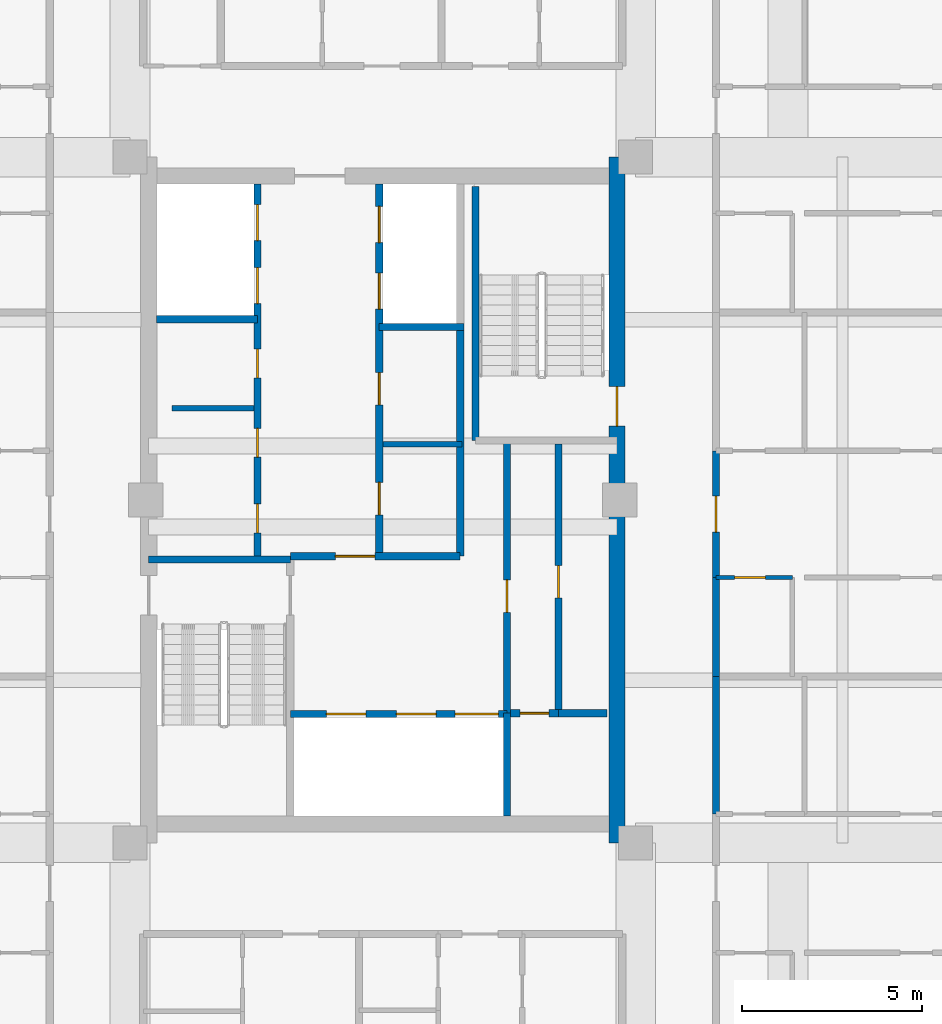
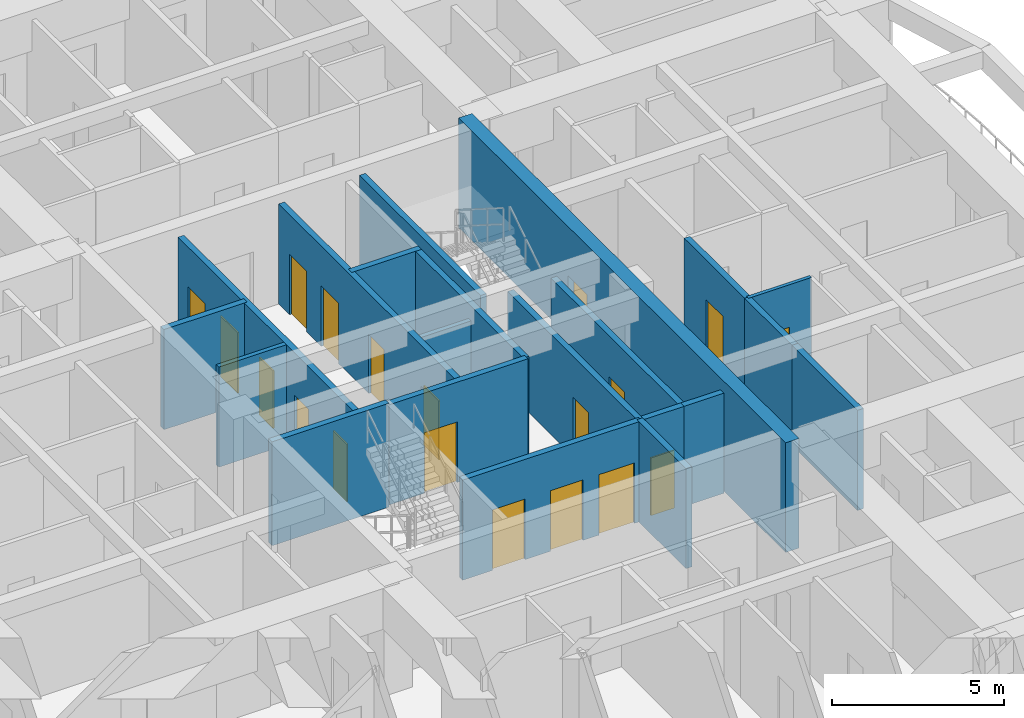
# One storey, part 13 of 22: 21 walls, 19 doors, 19 openings.
"""IFC4 building model written with IfcOpenShell, lengths in metres."""

from ifc_helpers import new_model, si_unit, direction, frame, frame_2d, origin, place, context, subcontext, project, spatial, rectangle, extrude, source, transform, mapped, material, layer, layer_set, type_object, element, fill, save


model = new_model("IFC4")

# Units and contexts
model_context = context("Model", 3, precision=1e-05, world=origin(), true_north=direction((0.0, 1.0)))
body_context = subcontext(model_context, "Body", "Model", "MODEL_VIEW")
ifc_project = project(units=[si_unit("LENGTHUNIT", "METRE"), si_unit("AREAUNIT", "SQUARE_METRE"), si_unit("VOLUMEUNIT", "CUBIC_METRE"), si_unit("PLANEANGLEUNIT", "RADIAN"), si_unit("MASSUNIT", "GRAM", prefix="KILO")], contexts=[model_context])

# Site, building, storey
site_placement = place(None, origin())
site = spatial("IfcSite", under=ifc_project, at=site_placement, CompositionType="ELEMENT")
building_placement = place(site_placement, origin())
building = spatial("IfcBuilding", under=site, at=building_placement, Name="Saelheon Loggia Tower", CompositionType="ELEMENT")
storey_placement = place(building_placement, frame((0.0, 0.0, 216.300048828125)))
storey = spatial("IfcBuildingStorey", under=building, at=storey_placement, Name="L67", CompositionType="ELEMENT", Elevation=216.300048828125)

# Wall, opening, door
ifc_material_1 = material(Name="Concrete C45/55", Category="concrete")
ifc_layer_1 = layer(ifc_material_1, 0.449951171875)
ifc_layer_set_1 = layer_set([ifc_layer_1], Name="Concrete C45/55")
wall_type_1 = type_object("IfcWallType", Name="Wall_CoreShear_450", PredefinedType="SHEAR", material=ifc_layer_set_1)
wall_1_placement = place(storey_placement, frame((44.5, 17.47998046875, 0.0), z_axis=(0.0, 0.0, 1.0), x_axis=(0.0, 1.0, 0.0)))
wall_1 = element("IfcWall", 1, at=wall_1_placement, inside=storey, type_object=wall_type_1, Name="L67 Core Shear Wall East", PredefinedType="SHEAR", context=body_context, shape_type="SweptSolid", body=[
    extrude(rectangle(XDim=19.0400390625, YDim=0.449951171875, at=frame_2d((9.52001953125, 0.0))), origin(), (0.0, 0.0, 1.0), 3.89990234375),
])
opening_1_placement = place(wall_1_placement, frame((12.670166015625, 0.0, 0.0), z_axis=(0.0, 0.0, 1.0), x_axis=(-1.0, 0.0, 0.0)))
opening_1 = element("IfcOpeningElement", 2, at=opening_1_placement, cuts=wall_1, Name="Opening D-FD2", PredefinedType="OPENING", context=body_context, shape_type="SweptSolid", body=[
    extrude(rectangle(XDim=1.10009765625, YDim=2.14990234375, at=frame_2d((0.550048828125, 1.074951171875))), frame((0.0, 0.237060546875, 0.0), z_axis=(0.0, -1.0, 0.0), x_axis=(1.0, 0.0, 0.0)), (0.0, 0.0, 1.0), 0.473876953125),
])
ifc_material_2 = material(Name="Galvanised Steel Fire Door", Category="steel")
door_type_1 = type_object("IfcDoorType", Name="Door_Fire_FD60_1100", OperationType="NOTDEFINED", PredefinedType="DOOR", material=ifc_material_2)
shared_shape_1 = source(origin(), body_context, "Body", "SweptSolid", [
    extrude(rectangle(XDim=1.10009765625, YDim=2.14990234375, at=frame_2d((0.550048828125, 1.074951171875))), frame((0.0, 0.02490234375, 0.0), z_axis=(0.0, -1.0, 0.0), x_axis=(1.0, 0.0, 0.0)), (0.0, 0.0, 1.0), 0.050048828125),
])
door_1_placement = place(opening_1_placement, origin())
door_1 = element("IfcDoor", 3, at=door_1_placement, inside=storey, type_object=door_type_1, Name="L67 Stair ST2 Corridor Door", OperationType="SINGLE_SWING_RIGHT", OverallHeight=2.14990234375, OverallWidth=1.10009765625, PredefinedType="DOOR", context=body_context, shape_type="MappedRepresentation", body=[
    mapped(shared_shape_1, transform((0.0, 0.0, 0.0), scale=1.0)),
])
fill(opening_1, door_1)

# Walls
ifc_material_3 = material(Name="Lightweight Autoclaved Aerated Concrete Block and Acoustic Gypsum", Category="concrete")
ifc_layer_2 = layer(ifc_material_3, 0.14990234375)
ifc_layer_set_2 = layer_set([ifc_layer_2], Name="Lightweight Autoclaved Aerated Concrete Block and Acoustic Gypsum")
wall_type_2 = type_object("IfcWallType", Name="Wall_Part_150", PredefinedType="PARTITIONING", material=ifc_layer_set_2)
wall_2_placement = place(storey_placement, frame((32.14990234375, 29.550048828125, 0.0), z_axis=(0.0, 0.0, 1.0), x_axis=(1.0, 0.0, 0.0)))
element("IfcWall", 4, at=wall_2_placement, inside=storey, type_object=wall_type_2, Name="L67 Freed Core Partition PL1", PredefinedType="PARTITIONING", context=body_context, shape_type="SweptSolid", body=[
    extrude(rectangle(XDim=2.27001953125, YDim=0.14990234375, at=frame_2d((1.135009765625, 0.0))), origin(), (0.0, 0.0, 1.0), 3.56005859375),
])
wall_3_placement = place(storey_placement, frame((38.0, 28.550048828125, 0.0), z_axis=(0.0, 0.0, 1.0), x_axis=(1.0, 0.0, 0.0)))
element("IfcWall", 5, at=wall_3_placement, inside=storey, type_object=wall_type_2, Name="L67 Freed Core Partition PM", PredefinedType="PARTITIONING", context=body_context, shape_type="SweptSolid", body=[
    extrude(rectangle(XDim=2.199951171875, YDim=0.14990234375, at=frame_2d((1.10009765625, 0.0))), origin(), (0.0, 0.0, 1.0), 3.0400390625),
])
ifc_material_4 = material(Name="Double Acoustic Stud and Fireboard Partition", Category="gypsum")
ifc_layer_3 = layer(ifc_material_4, 0.199951171875)
ifc_layer_set_3 = layer_set([ifc_layer_3], Name="Double Acoustic Stud and Fireboard Partition")
wall_type_3 = type_object("IfcWallType", Name="Wall_Party_200", PredefinedType="PARTITIONING", material=ifc_layer_set_3)
wall_4_placement = place(storey_placement, frame((47.25, 18.280029296875, 0.0), z_axis=(0.0, 0.0, 1.0), x_axis=(0.0, 1.0, 0.0)))
element("IfcWall", 6, at=wall_4_placement, inside=storey, type_object=wall_type_3, Name="L67 E Partition V05", PredefinedType="PARTITIONING", context=body_context, shape_type="SweptSolid", body=[
    extrude(rectangle(XDim=3.817626953125, YDim=0.199951171875, at=frame_2d((1.90869140625, 0.0))), origin(), (0.0, 0.0, 1.0), 3.56005859375),
])
wall_5_placement = place(storey_placement, frame((47.25, 22.09765625, 0.0), z_axis=(0.0, 0.0, 1.0), x_axis=(0.0, 1.0, 0.0)))
element("IfcWall", 7, at=wall_5_placement, inside=storey, type_object=wall_type_3, Name="L67 E Partition V13", PredefinedType="PARTITIONING", context=body_context, shape_type="SweptSolid", body=[
    extrude(rectangle(XDim=2.75, YDim=0.199951171875, at=frame_2d((1.375, 0.0))), origin(), (0.0, 0.0, 1.0), 3.56005859375),
])

# Wall, opening, door
wall_6_placement = place(storey_placement, frame((47.25, 24.84765625, 0.0), z_axis=(0.0, 0.0, 1.0), x_axis=(0.0, 1.0, 0.0)))
wall_6 = element("IfcWall", 8, at=wall_6_placement, inside=storey, type_object=wall_type_3, Name="L67 E Partition V14", PredefinedType="PARTITIONING", context=body_context, shape_type="SweptSolid", body=[
    extrude(rectangle(XDim=3.518798828125, YDim=0.199951171875, at=frame_2d((1.75927734375, 0.0))), origin(), (0.0, 0.0, 1.0), 3.56005859375),
])
opening_2_placement = place(wall_6_placement, frame((1.259521484375, 0.0, 0.0)))
opening_2 = element("IfcOpeningElement", 9, at=opening_2_placement, cuts=wall_6, Name="Opening D-FD1", PredefinedType="OPENING", context=body_context, shape_type="SweptSolid", body=[
    extrude(rectangle(XDim=1.0, YDim=2.14990234375, at=frame_2d((0.5, 1.074951171875))), frame((0.0, 0.112060546875, 0.0), z_axis=(0.0, -1.0, 0.0), x_axis=(1.0, 0.0, 0.0)), (0.0, 0.0, 1.0), 0.223876953125),
])
ifc_material_5 = material(Name="Fire-Rated Engineered Timber Entrance Door", Category="wood")
door_type_2 = type_object("IfcDoorType", Name="Door_Flat_FD30S", OperationType="NOTDEFINED", PredefinedType="DOOR", material=ifc_material_5)
shared_shape_2 = source(origin(), body_context, "Body", "SweptSolid", [
    extrude(rectangle(XDim=1.0, YDim=2.14990234375, at=frame_2d((0.5, 1.074951171875))), frame((0.0, 0.02490234375, 0.0), z_axis=(0.0, -1.0, 0.0), x_axis=(1.0, 0.0, 0.0)), (0.0, 0.0, 1.0), 0.050048828125),
])
door_2_placement = place(opening_2_placement, origin())
door_2 = element("IfcDoor", 10, at=door_2_placement, inside=storey, type_object=door_type_2, Name="Unit U09 Entrance Door", OperationType="SINGLE_SWING_LEFT", OverallHeight=2.14990234375, OverallWidth=1.0, PredefinedType="DOOR", context=body_context, shape_type="MappedRepresentation", body=[
    mapped(shared_shape_2, transform((0.0, 0.0, 0.0), scale=1.0)),
])
fill(opening_2, door_2)

ifc_material_6 = material(Name="Concrete C40/50", Category="concrete")
ifc_layer_4 = layer(ifc_material_6, 0.199951171875)
ifc_layer_set_4 = layer_set([ifc_layer_4], Name="Concrete C40/50")
wall_type_4 = type_object("IfcWallType", Name="Wall_Shaft_200", PredefinedType="PARTITIONING", material=ifc_layer_set_4)
wall_7_placement = place(storey_placement, frame((41.550048828125, 21.080078125, 0.0), z_axis=(0.0, 0.0, 1.0), x_axis=(1.0, 0.0, 0.0)))
wall_7 = element("IfcWall", 11, at=wall_7_placement, inside=storey, type_object=wall_type_4, Name="CW-BOH-L67-HS", PredefinedType="PARTITIONING", context=body_context, shape_type="SweptSolid", body=[
    extrude(rectangle(XDim=1.329833984375, YDim=0.199951171875, at=frame_2d((0.6650390625, 0.0))), origin(), (0.0, 0.0, 1.0), 3.56005859375),
])
opening_3_placement = place(wall_7_placement, frame((0.260009765625, 0.0, 0.0)))
opening_3 = element("IfcOpeningElement", 12, at=opening_3_placement, cuts=wall_7, Name="Opening D-ST1", PredefinedType="OPENING", context=body_context, shape_type="SweptSolid", body=[
    extrude(rectangle(XDim=0.800048828125, YDim=2.050048828125, at=frame_2d((0.39990234375, 1.02490234375))), frame((0.0, 0.112060546875, 0.0), z_axis=(0.0, -1.0, 0.0), x_axis=(1.0, 0.0, 0.0)), (0.0, 0.0, 1.0), 0.223876953125),
])
ifc_material_7 = material(Name="Powder-Coated Steel Store Door", Category="steel")
door_type_3 = type_object("IfcDoorType", Name="Door_Store_800", OperationType="NOTDEFINED", PredefinedType="DOOR", material=ifc_material_7)
shared_shape_3 = source(origin(), body_context, "Body", "SweptSolid", [
    extrude(rectangle(XDim=0.800048828125, YDim=2.050048828125, at=frame_2d((0.39990234375, 1.02490234375))), frame((0.0, 0.02490234375, 0.0), z_axis=(0.0, -1.0, 0.0), x_axis=(1.0, 0.0, 0.0)), (0.0, 0.0, 1.0), 0.050048828125),
])
door_3_placement = place(opening_3_placement, origin())
door_3 = element("IfcDoor", 13, at=door_3_placement, inside=storey, type_object=door_type_3, Name="L67 Electrical Riser Door", OperationType="SINGLE_SWING_RIGHT", OverallHeight=2.050048828125, OverallWidth=0.800048828125, PredefinedType="DOOR", context=body_context, shape_type="MappedRepresentation", body=[
    mapped(shared_shape_3, transform((0.0, 0.0, 0.0), scale=1.0)),
])
fill(opening_3, door_3)

# Wall
wall_8_placement = place(storey_placement, frame((42.8798828125, 21.080078125, 0.0), z_axis=(0.0, 0.0, 1.0), x_axis=(1.0, 0.0, 0.0)))
element("IfcWall", 14, at=wall_8_placement, inside=storey, type_object=wall_type_4, Name="CW-BOH-L67-HS2", PredefinedType="PARTITIONING", context=body_context, shape_type="SweptSolid", body=[
    extrude(rectangle(XDim=1.340087890625, YDim=0.199951171875, at=frame_2d((0.669921875, 0.0))), origin(), (0.0, 0.0, 1.0), 3.56005859375),
])

# Wall, opening, door
wall_9_placement = place(storey_placement, frame((42.8798828125, 21.080078125, 0.0), z_axis=(0.0, 0.0, 1.0), x_axis=(0.0, 1.0, 0.0)))
wall_9 = element("IfcWall", 15, at=wall_9_placement, inside=storey, type_object=wall_type_4, Name="CW-BOH-L67-VS", PredefinedType="PARTITIONING", context=body_context, shape_type="SweptSolid", body=[
    extrude(rectangle(XDim=7.469970703125, YDim=0.199951171875, at=frame_2d((3.73486328125, 0.0))), origin(), (0.0, 0.0, 1.0), 3.56005859375),
])
opening_4_placement = place(wall_9_placement, frame((3.199951171875, 0.0, 0.0)))
opening_4 = element("IfcOpeningElement", 16, at=opening_4_placement, cuts=wall_9, Name="Opening D-RS1", PredefinedType="OPENING", context=body_context, shape_type="SweptSolid", body=[
    extrude(rectangle(XDim=0.89990234375, YDim=2.10009765625, at=frame_2d((0.449951171875, 1.050048828125))), frame((0.0, 0.112060546875, 0.0), z_axis=(0.0, -1.0, 0.0), x_axis=(1.0, 0.0, 0.0)), (0.0, 0.0, 1.0), 0.223876953125),
])
ifc_material_8 = material(Name="Galvanised Steel Riser Access Door", Category="steel")
door_type_4 = type_object("IfcDoorType", Name="Door_Riser_FD60", OperationType="NOTDEFINED", PredefinedType="DOOR", material=ifc_material_8)
shared_shape_4 = source(origin(), body_context, "Body", "SweptSolid", [
    extrude(rectangle(XDim=0.89990234375, YDim=2.10009765625, at=frame_2d((0.449951171875, 1.050048828125))), frame((0.0, 0.02490234375, 0.0), z_axis=(0.0, -1.0, 0.0), x_axis=(1.0, 0.0, 0.0)), (0.0, 0.0, 1.0), 0.050048828125),
])
door_4_placement = place(opening_4_placement, origin())
door_4 = element("IfcDoor", 17, at=door_4_placement, inside=storey, type_object=door_type_4, Name="L67 Linen Store Door", OperationType="SINGLE_SWING_LEFT", OverallHeight=2.10009765625, OverallWidth=0.89990234375, PredefinedType="DOOR", context=body_context, shape_type="MappedRepresentation", body=[
    mapped(shared_shape_4, transform((0.0, 0.0, 0.0), scale=1.0)),
])
fill(opening_4, door_4)

# Wall
wall_10_placement = place(storey_placement, frame((41.449951171875, 18.219970703125, 0.0), z_axis=(0.0, 0.0, 1.0), x_axis=(0.0, 1.0, 0.0)))
element("IfcWall", 18, at=wall_10_placement, inside=storey, type_object=wall_type_4, Name="CW-INT-L67-BOH-W0", PredefinedType="PARTITIONING", context=body_context, shape_type="SweptSolid", body=[
    extrude(rectangle(XDim=2.860107421875, YDim=0.199951171875, at=frame_2d((1.43017578125, 0.0))), origin(), (0.0, 0.0, 1.0), 3.56005859375),
])

# Wall, opening, door
wall_11_placement = place(storey_placement, frame((41.449951171875, 21.080078125, 0.0), z_axis=(0.0, 0.0, 1.0), x_axis=(0.0, 1.0, 0.0)))
wall_11 = element("IfcWall", 19, at=wall_11_placement, inside=storey, type_object=wall_type_4, Name="CW-INT-L67-BOH-W1", PredefinedType="PARTITIONING", context=body_context, shape_type="SweptSolid", body=[
    extrude(rectangle(XDim=7.52001953125, YDim=0.199951171875, at=frame_2d((3.760009765625, 0.0))), origin(), (0.0, 0.0, 1.0), 3.56005859375),
])
opening_5_placement = place(wall_11_placement, frame((2.800048828125, 0.0, 0.0)))
opening_5 = element("IfcOpeningElement", 20, at=opening_5_placement, cuts=wall_11, Name="Opening D-RS1", PredefinedType="OPENING", context=body_context, shape_type="SweptSolid", body=[
    extrude(rectangle(XDim=0.89990234375, YDim=2.10009765625, at=frame_2d((0.449951171875, 1.050048828125))), frame((0.0, 0.112060546875, 0.0), z_axis=(0.0, -1.0, 0.0), x_axis=(1.0, 0.0, 0.0)), (0.0, 0.0, 1.0), 0.223876953125),
])
door_5_placement = place(opening_5_placement, origin())
door_5 = element("IfcDoor", 21, at=door_5_placement, inside=storey, type_object=door_type_4, Name="L67 Service Store Door", OperationType="SINGLE_SWING_RIGHT", OverallHeight=2.10009765625, OverallWidth=0.89990234375, PredefinedType="DOOR", context=body_context, shape_type="MappedRepresentation", body=[
    mapped(shared_shape_4, transform((0.0, 0.0, 0.0), scale=1.0)),
])
fill(opening_5, door_5)

# Wall
wall_12_placement = place(storey_placement, frame((40.14990234375, 25.43994140625, 0.0), z_axis=(0.0, 0.0, 1.0), x_axis=(0.0, 1.0, 0.0)))
element("IfcWall", 22, at=wall_12_placement, inside=storey, type_object=wall_type_4, Name="L67 Core Service Passage West Wall", PredefinedType="PARTITIONING", context=body_context, shape_type="SweptSolid", body=[
    extrude(rectangle(XDim=6.360107421875, YDim=0.199951171875, at=frame_2d((3.18017578125, 0.0))), origin(), (0.0, 0.0, 1.0), 3.56005859375),
])

# Wall, openings, doors
wall_13_placement = place(storey_placement, frame((35.429931640625, 21.06005859375, 0.0), z_axis=(0.0, 0.0, 1.0), x_axis=(1.0, 0.0, 0.0)))
wall_13 = element("IfcWall", 23, at=wall_13_placement, inside=storey, type_object=wall_type_4, Name="L67 Firefighting Lift Shaft Front Wall", PredefinedType="PARTITIONING", context=body_context, shape_type="SweptSolid", body=[
    extrude(rectangle(XDim=6.02001953125, YDim=0.199951171875, at=frame_2d((3.010009765625, 0.0))), origin(), (0.0, 0.0, 1.0), 3.56005859375),
])
opening_6_placement = place(wall_13_placement, frame((1.0, 0.0, 0.0)))
opening_6 = element("IfcOpeningElement", 24, at=opening_6_placement, cuts=wall_13, Name="Opening LD2", PredefinedType="OPENING", context=body_context, shape_type="SweptSolid", body=[
    extrude(rectangle(XDim=1.10009765625, YDim=2.14990234375, at=frame_2d((0.550048828125, 1.074951171875))), frame((0.0, 0.112060546875, 0.0), z_axis=(0.0, -1.0, 0.0), x_axis=(1.0, 0.0, 0.0)), (0.0, 0.0, 1.0), 0.223876953125),
])
opening_7_placement = place(wall_13_placement, frame((2.949951171875, 0.0, 0.0)))
opening_7 = element("IfcOpeningElement", 25, at=opening_7_placement, cuts=wall_13, Name="Opening LD2", PredefinedType="OPENING", context=body_context, shape_type="SweptSolid", body=[
    extrude(rectangle(XDim=1.10009765625, YDim=2.14990234375, at=frame_2d((0.550048828125, 1.074951171875))), frame((0.0, 0.112060546875, 0.0), z_axis=(0.0, -1.0, 0.0), x_axis=(1.0, 0.0, 0.0)), (0.0, 0.0, 1.0), 0.223876953125),
])
opening_8_placement = place(wall_13_placement, frame((4.580078125, 0.0, 0.0)))
opening_8 = element("IfcOpeningElement", 26, at=opening_8_placement, cuts=wall_13, Name="Opening LD3", PredefinedType="OPENING", context=body_context, shape_type="SweptSolid", body=[
    extrude(rectangle(XDim=1.199951171875, YDim=2.14990234375, at=frame_2d((0.60009765625, 1.074951171875))), frame((0.0, 0.112060546875, 0.0), z_axis=(0.0, -1.0, 0.0), x_axis=(1.0, 0.0, 0.0)), (0.0, 0.0, 1.0), 0.223876953125),
])
ifc_material_9 = material(Name="Firefighting Stainless Steel 316 Landing Door", Category="steel")
door_type_5 = type_object("IfcDoorType", Name="Door_Lift_LD2", OperationType="DOUBLE_DOOR_SLIDING", PredefinedType="DOOR", material=ifc_material_9)
door_6_placement = place(opening_6_placement, origin())
door_6 = element("IfcDoor", 27, at=door_6_placement, inside=storey, type_object=door_type_5, Name="L67 FF1 Landing Door", OperationType="DOUBLE_DOOR_SLIDING", OverallHeight=2.14990234375, OverallWidth=1.10009765625, PredefinedType="DOOR", context=body_context, shape_type="MappedRepresentation", body=[
    mapped(shared_shape_1, transform((0.0, 0.0, 0.0), scale=1.0)),
])
fill(opening_6, door_6)
door_7_placement = place(opening_7_placement, origin())
door_7 = element("IfcDoor", 28, at=door_7_placement, inside=storey, type_object=door_type_5, Name="L67 FF2 Landing Door", OperationType="DOUBLE_DOOR_SLIDING", OverallHeight=2.14990234375, OverallWidth=1.10009765625, PredefinedType="DOOR", context=body_context, shape_type="MappedRepresentation", body=[
    mapped(shared_shape_1, transform((0.0, 0.0, 0.0), scale=1.0)),
])
fill(opening_7, door_7)
ifc_material_10 = material(Name="Stretcher Lift Stainless Steel 304 Landing Door", Category="steel")
door_type_6 = type_object("IfcDoorType", Name="Door_Lift_LD3", OperationType="DOUBLE_DOOR_SLIDING", PredefinedType="DOOR", material=ifc_material_10)
shared_shape_5 = source(origin(), body_context, "Body", "SweptSolid", [
    extrude(rectangle(XDim=1.199951171875, YDim=2.14990234375, at=frame_2d((0.60009765625, 1.074951171875))), frame((0.0, 0.02490234375, 0.0), z_axis=(0.0, -1.0, 0.0), x_axis=(1.0, 0.0, 0.0)), (0.0, 0.0, 1.0), 0.050048828125),
])
door_8_placement = place(opening_8_placement, origin())
door_8 = element("IfcDoor", 29, at=door_8_placement, inside=storey, type_object=door_type_6, Name="L67 SV1 Landing Door", OperationType="DOUBLE_DOOR_SLIDING", OverallHeight=2.14990234375, OverallWidth=1.199951171875, PredefinedType="DOOR", context=body_context, shape_type="MappedRepresentation", body=[
    mapped(shared_shape_5, transform((0.0, 0.0, 0.0), scale=1.0)),
])
fill(opening_8, door_8)

# Wall, opening, door
wall_14_placement = place(storey_placement, frame((35.429931640625, 25.43994140625, 0.0), z_axis=(0.0, 0.0, 1.0), x_axis=(1.0, 0.0, 0.0)))
wall_14 = element("IfcWall", 30, at=wall_14_placement, inside=storey, type_object=wall_type_4, Name="L67 Firefighting Lobby Compartment Wall", PredefinedType="PARTITIONING", context=body_context, shape_type="SweptSolid", body=[
    extrude(rectangle(XDim=4.719970703125, YDim=0.199951171875, at=frame_2d((2.35986328125, 0.0))), origin(), (0.0, 0.0, 1.0), 3.56005859375),
])
opening_9_placement = place(wall_14_placement, frame((1.25, 0.0, 0.0)))
opening_9 = element("IfcOpeningElement", 31, at=opening_9_placement, cuts=wall_14, Name="Opening D-FD2", PredefinedType="OPENING", context=body_context, shape_type="SweptSolid", body=[
    extrude(rectangle(XDim=1.10009765625, YDim=2.14990234375, at=frame_2d((0.550048828125, 1.074951171875))), frame((0.0, 0.112060546875, 0.0), z_axis=(0.0, -1.0, 0.0), x_axis=(1.0, 0.0, 0.0)), (0.0, 0.0, 1.0), 0.223876953125),
])
door_9_placement = place(opening_9_placement, origin())
door_9 = element("IfcDoor", 32, at=door_9_placement, inside=storey, type_object=door_type_1, Name="L67 Firefighting Lobby Door", OperationType="SINGLE_SWING_LEFT", OverallHeight=2.14990234375, OverallWidth=1.10009765625, PredefinedType="DOOR", context=body_context, shape_type="MappedRepresentation", body=[
    mapped(shared_shape_1, transform((0.0, 0.0, 0.0), scale=1.0)),
])
fill(opening_9, door_9)

# Wall, openings, doors
wall_15_placement = place(storey_placement, frame((34.52001953125, 25.43994140625, 0.0), z_axis=(0.0, 0.0, 1.0), x_axis=(0.0, 1.0, 0.0)))
wall_15 = element("IfcWall", 33, at=wall_15_placement, inside=storey, type_object=wall_type_4, Name="L67 West Passenger Lift Bank Wall", PredefinedType="PARTITIONING", context=body_context, shape_type="SweptSolid", body=[
    extrude(rectangle(XDim=10.340087890625, YDim=0.199951171875, at=frame_2d((5.169921875, 0.0))), origin(), (0.0, 0.0, 1.0), 3.56005859375),
])
opening_10_placement = place(wall_15_placement, frame((0.64990234375, 0.0, 0.0)))
opening_10 = element("IfcOpeningElement", 34, at=opening_10_placement, cuts=wall_15, Name="Opening D-ST1", PredefinedType="OPENING", context=body_context, shape_type="SweptSolid", body=[
    extrude(rectangle(XDim=0.800048828125, YDim=2.050048828125, at=frame_2d((0.39990234375, 1.02490234375))), frame((0.0, 0.112060546875, 0.0), z_axis=(0.0, -1.0, 0.0), x_axis=(1.0, 0.0, 0.0)), (0.0, 0.0, 1.0), 0.223876953125),
])
opening_11_placement = place(wall_15_placement, frame((2.75, 0.0, 0.0)))
opening_11 = element("IfcOpeningElement", 35, at=opening_11_placement, cuts=wall_15, Name="Opening D-ST1", PredefinedType="OPENING", context=body_context, shape_type="SweptSolid", body=[
    extrude(rectangle(XDim=0.800048828125, YDim=2.050048828125, at=frame_2d((0.39990234375, 1.02490234375))), frame((0.0, 0.112060546875, 0.0), z_axis=(0.0, -1.0, 0.0), x_axis=(1.0, 0.0, 0.0)), (0.0, 0.0, 1.0), 0.223876953125),
])
opening_12_placement = place(wall_15_placement, frame((4.949951171875, 0.0, 0.0)))
opening_12 = element("IfcOpeningElement", 36, at=opening_12_placement, cuts=wall_15, Name="Opening D-ST1", PredefinedType="OPENING", context=body_context, shape_type="SweptSolid", body=[
    extrude(rectangle(XDim=0.800048828125, YDim=2.050048828125, at=frame_2d((0.39990234375, 1.02490234375))), frame((0.0, 0.112060546875, 0.0), z_axis=(0.0, -1.0, 0.0), x_axis=(1.0, 0.0, 0.0)), (0.0, 0.0, 1.0), 0.223876953125),
])
opening_13_placement = place(wall_15_placement, frame((7.010009765625, 0.0, 0.0)))
opening_13 = element("IfcOpeningElement", 37, at=opening_13_placement, cuts=wall_15, Name="Opening LD1", PredefinedType="OPENING", context=body_context, shape_type="SweptSolid", body=[
    extrude(rectangle(XDim=1.0, YDim=2.14990234375, at=frame_2d((0.5, 1.074951171875))), frame((0.0, 0.112060546875, 0.0), z_axis=(0.0, -1.0, 0.0), x_axis=(1.0, 0.0, 0.0)), (0.0, 0.0, 1.0), 0.223876953125),
])
opening_14_placement = place(wall_15_placement, frame((8.760009765625, 0.0, 0.0)))
opening_14 = element("IfcOpeningElement", 38, at=opening_14_placement, cuts=wall_15, Name="Opening LD1", PredefinedType="OPENING", context=body_context, shape_type="SweptSolid", body=[
    extrude(rectangle(XDim=1.0, YDim=2.14990234375, at=frame_2d((0.5, 1.074951171875))), frame((0.0, 0.112060546875, 0.0), z_axis=(0.0, -1.0, 0.0), x_axis=(1.0, 0.0, 0.0)), (0.0, 0.0, 1.0), 0.223876953125),
])
ifc_material_11 = material(Name="Brushed Stainless Steel 304 Landing Door", Category="steel")
door_type_7 = type_object("IfcDoorType", Name="Door_Lift_LD1", OperationType="DOUBLE_DOOR_SLIDING", PredefinedType="DOOR", material=ifc_material_11)
door_10_placement = place(opening_13_placement, origin())
door_10 = element("IfcDoor", 39, at=door_10_placement, inside=storey, type_object=door_type_7, Name="L67 PH1 Landing Door", OperationType="DOUBLE_DOOR_SLIDING", OverallHeight=2.14990234375, OverallWidth=1.0, PredefinedType="DOOR", context=body_context, shape_type="MappedRepresentation", body=[
    mapped(shared_shape_2, transform((0.0, 0.0, 0.0), scale=1.0)),
])
fill(opening_13, door_10)
door_11_placement = place(opening_14_placement, origin())
door_11 = element("IfcDoor", 40, at=door_11_placement, inside=storey, type_object=door_type_7, Name="L67 PH2 Landing Door", OperationType="DOUBLE_DOOR_SLIDING", OverallHeight=2.14990234375, OverallWidth=1.0, PredefinedType="DOOR", context=body_context, shape_type="MappedRepresentation", body=[
    mapped(shared_shape_2, transform((0.0, 0.0, 0.0), scale=1.0)),
])
fill(opening_14, door_11)
door_12_placement = place(opening_10_placement, origin())
door_12 = element("IfcDoor", 41, at=door_12_placement, inside=storey, type_object=door_type_3, Name="L67 Telecom Store Door", OperationType="SINGLE_SWING_LEFT", OverallHeight=2.050048828125, OverallWidth=0.800048828125, PredefinedType="DOOR", context=body_context, shape_type="MappedRepresentation", body=[
    mapped(shared_shape_3, transform((0.0, 0.0, 0.0), scale=1.0)),
])
fill(opening_10, door_12)
door_13_placement = place(opening_11_placement, origin())
door_13 = element("IfcDoor", 42, at=door_13_placement, inside=storey, type_object=door_type_3, Name="L67 Linen Closet Door", OperationType="SINGLE_SWING_RIGHT", OverallHeight=2.050048828125, OverallWidth=0.800048828125, PredefinedType="DOOR", context=body_context, shape_type="MappedRepresentation", body=[
    mapped(shared_shape_3, transform((0.0, 0.0, 0.0), scale=1.0)),
])
fill(opening_11, door_13)
door_14_placement = place(opening_12_placement, origin())
door_14 = element("IfcDoor", 43, at=door_14_placement, inside=storey, type_object=door_type_3, Name="L67 Metering Store Door", OperationType="SINGLE_SWING_LEFT", OverallHeight=2.050048828125, OverallWidth=0.800048828125, PredefinedType="DOOR", context=body_context, shape_type="MappedRepresentation", body=[
    mapped(shared_shape_3, transform((0.0, 0.0, 0.0), scale=1.0)),
])
fill(opening_12, door_14)

# Wall
wall_16_placement = place(storey_placement, frame((31.719970703125, 32.02001953125, 0.0), z_axis=(0.0, 0.0, 1.0), x_axis=(1.0, 0.0, 0.0)))
element("IfcWall", 44, at=wall_16_placement, inside=storey, type_object=wall_type_4, Name="L67 West High-Rise Shaft Divider", PredefinedType="PARTITIONING", context=body_context, shape_type="SweptSolid", body=[
    extrude(rectangle(XDim=2.800048828125, YDim=0.199951171875, at=frame_2d((1.39990234375, 0.0))), origin(), (0.0, 0.0, 1.0), 3.56005859375),
])

# Wall, openings, doors
wall_17_placement = place(storey_placement, frame((37.89990234375, 25.43994140625, 0.0), z_axis=(0.0, 0.0, 1.0), x_axis=(0.0, 1.0, 0.0)))
wall_17 = element("IfcWall", 45, at=wall_17_placement, inside=storey, type_object=wall_type_4, Name="L67 East Passenger Lift Bank Wall", PredefinedType="PARTITIONING", context=body_context, shape_type="SweptSolid", body=[
    extrude(rectangle(XDim=10.340087890625, YDim=0.199951171875, at=frame_2d((5.169921875, 0.0))), origin(), (0.0, 0.0, 1.0), 3.56005859375),
])
opening_15_placement = place(wall_17_placement, frame((1.14990234375, 0.0, 0.0)))
opening_15 = element("IfcOpeningElement", 46, at=opening_15_placement, cuts=wall_17, Name="Opening D-RS1", PredefinedType="OPENING", context=body_context, shape_type="SweptSolid", body=[
    extrude(rectangle(XDim=0.89990234375, YDim=2.10009765625, at=frame_2d((0.449951171875, 1.050048828125))), frame((0.0, 0.112060546875, 0.0), z_axis=(0.0, -1.0, 0.0), x_axis=(1.0, 0.0, 0.0)), (0.0, 0.0, 1.0), 0.223876953125),
])
opening_16_placement = place(wall_17_placement, frame((4.199951171875, 0.0, 0.0)))
opening_16 = element("IfcOpeningElement", 47, at=opening_16_placement, cuts=wall_17, Name="Opening D-RS1", PredefinedType="OPENING", context=body_context, shape_type="SweptSolid", body=[
    extrude(rectangle(XDim=0.89990234375, YDim=2.10009765625, at=frame_2d((0.449951171875, 1.050048828125))), frame((0.0, 0.112060546875, 0.0), z_axis=(0.0, -1.0, 0.0), x_axis=(1.0, 0.0, 0.0)), (0.0, 0.0, 1.0), 0.223876953125),
])
opening_17_placement = place(wall_17_placement, frame((6.860107421875, 0.0, 0.0)))
opening_17 = element("IfcOpeningElement", 48, at=opening_17_placement, cuts=wall_17, Name="Opening LD1", PredefinedType="OPENING", context=body_context, shape_type="SweptSolid", body=[
    extrude(rectangle(XDim=1.0, YDim=2.14990234375, at=frame_2d((0.5, 1.074951171875))), frame((0.0, 0.112060546875, 0.0), z_axis=(0.0, -1.0, 0.0), x_axis=(1.0, 0.0, 0.0)), (0.0, 0.0, 1.0), 0.223876953125),
])
opening_18_placement = place(wall_17_placement, frame((8.7099609375, 0.0, 0.0)))
opening_18 = element("IfcOpeningElement", 49, at=opening_18_placement, cuts=wall_17, Name="Opening LD1", PredefinedType="OPENING", context=body_context, shape_type="SweptSolid", body=[
    extrude(rectangle(XDim=1.0, YDim=2.14990234375, at=frame_2d((0.5, 1.074951171875))), frame((0.0, 0.112060546875, 0.0), z_axis=(0.0, -1.0, 0.0), x_axis=(1.0, 0.0, 0.0)), (0.0, 0.0, 1.0), 0.223876953125),
])
door_15_placement = place(opening_15_placement, origin())
door_15 = element("IfcDoor", 50, at=door_15_placement, inside=storey, type_object=door_type_4, Name="L67 Upper Housekeeping Door", OperationType="SINGLE_SWING_RIGHT", OverallHeight=2.10009765625, OverallWidth=0.89990234375, PredefinedType="DOOR", context=body_context, shape_type="MappedRepresentation", body=[
    mapped(shared_shape_4, transform((0.0, 0.0, 0.0), scale=1.0)),
])
fill(opening_15, door_15)
door_16_placement = place(opening_16_placement, origin())
door_16 = element("IfcDoor", 51, at=door_16_placement, inside=storey, type_object=door_type_4, Name="L67 Upper Pantry Door", OperationType="SINGLE_SWING_LEFT", OverallHeight=2.10009765625, OverallWidth=0.89990234375, PredefinedType="DOOR", context=body_context, shape_type="MappedRepresentation", body=[
    mapped(shared_shape_4, transform((0.0, 0.0, 0.0), scale=1.0)),
])
fill(opening_16, door_16)
door_17_placement = place(opening_17_placement, origin())
door_17 = element("IfcDoor", 52, at=door_17_placement, inside=storey, type_object=door_type_7, Name="L67 PH3 Landing Door", OperationType="DOUBLE_DOOR_SLIDING", OverallHeight=2.14990234375, OverallWidth=1.0, PredefinedType="DOOR", context=body_context, shape_type="MappedRepresentation", body=[
    mapped(shared_shape_2, transform((0.0, 0.0, 0.0), scale=1.0)),
])
fill(opening_17, door_17)
door_18_placement = place(opening_18_placement, origin())
door_18 = element("IfcDoor", 53, at=door_18_placement, inside=storey, type_object=door_type_7, Name="L67 PH4 Landing Door", OperationType="DOUBLE_DOOR_SLIDING", OverallHeight=2.14990234375, OverallWidth=1.0, PredefinedType="DOOR", context=body_context, shape_type="MappedRepresentation", body=[
    mapped(shared_shape_2, transform((0.0, 0.0, 0.0), scale=1.0)),
])
fill(opening_18, door_18)

# Walls
wall_18_placement = place(storey_placement, frame((37.89990234375, 31.800048828125, 0.0), z_axis=(0.0, 0.0, 1.0), x_axis=(1.0, 0.0, 0.0)))
element("IfcWall", 54, at=wall_18_placement, inside=storey, type_object=wall_type_4, Name="L67 East High-Rise Shaft Divider", PredefinedType="PARTITIONING", context=body_context, shape_type="SweptSolid", body=[
    extrude(rectangle(XDim=2.35009765625, YDim=0.199951171875, at=frame_2d((1.175048828125, 0.0))), origin(), (0.0, 0.0, 1.0), 3.56005859375),
])
ifc_layer_5 = layer(ifc_material_1, 0.199951171875)
ifc_layer_set_5 = layer_set([ifc_layer_5], Name="Concrete C45/55")
wall_type_5 = type_object("IfcWallType", Name="Wall_StairShaft_RC200", PredefinedType="SOLIDWALL", material=ifc_layer_set_5)
wall_19_placement = place(storey_placement, frame((31.5, 25.35009765625, 0.0), z_axis=(0.0, 0.0, 1.0), x_axis=(1.0, 0.0, 0.0)))
element("IfcWall", 55, at=wall_19_placement, inside=storey, type_object=wall_type_5, Name="L67 Stair ST1 North Wall", PredefinedType="SOLIDWALL", context=body_context, shape_type="SweptSolid", body=[
    extrude(rectangle(XDim=3.929931640625, YDim=0.199951171875, at=frame_2d((1.96484375, 0.0))), origin(), (0.0, 0.0, 1.0), 3.68994140625),
])
wall_20_placement = place(storey_placement, frame((40.570068359375, 28.64990234375, 0.0), z_axis=(0.0, 0.0, 1.0), x_axis=(0.0, 1.0, 0.0)))
element("IfcWall", 56, at=wall_20_placement, inside=storey, type_object=wall_type_5, Name="L67 Stair ST2 Shaft Wall", PredefinedType="SOLIDWALL", context=body_context, shape_type="SweptSolid", body=[
    extrude(rectangle(XDim=7.050048828125, YDim=0.199951171875, at=frame_2d((3.52490234375, 0.0))), origin(), (0.0, 0.0, 1.0), 3.68994140625),
])

# Wall, opening, door
ifc_material_12 = material(Name="Moisture-Resistant Cement Board Partition", Category="gypsum")
ifc_layer_6 = layer(ifc_material_12, 0.1201171875)
ifc_layer_set_6 = layer_set([ifc_layer_6], Name="Moisture-Resistant Cement Board Partition")
wall_type_6 = type_object("IfcWallType", Name="Wall_WetPart_120", PredefinedType="PARTITIONING", material=ifc_layer_set_6)
wall_21_placement = place(storey_placement, frame((47.25, 24.84765625, 0.0), z_axis=(0.0, 0.0, 1.0), x_axis=(1.0, 0.0, 0.0)))
wall_21 = element("IfcWall", 57, at=wall_21_placement, inside=storey, type_object=wall_type_6, Name="L67 E Partition U18", PredefinedType="PARTITIONING", context=body_context, shape_type="SweptSolid", body=[
    extrude(rectangle(XDim=2.1201171875, YDim=0.1201171875, at=frame_2d((1.06005859375, 0.0))), origin(), (0.0, 0.0, 1.0), 3.56005859375),
])
opening_19_placement = place(wall_21_placement, frame((0.519775390625, 0.0, 0.0)))
opening_19 = element("IfcOpeningElement", 58, at=opening_19_placement, cuts=wall_21, Name="Opening D-BT1", PredefinedType="OPENING", context=body_context, shape_type="SweptSolid", body=[
    extrude(rectangle(XDim=0.85009765625, YDim=2.050048828125, at=frame_2d((0.425048828125, 1.02490234375))), frame((0.0, 0.072021484375, 0.0), z_axis=(0.0, -1.0, 0.0), x_axis=(1.0, 0.0, 0.0)), (0.0, 0.0, 1.0), 0.14404296875),
])
ifc_material_13 = material(Name="Moisture-Resistant Laminate Timber Door", Category="wood")
door_type_8 = type_object("IfcDoorType", Name="Door_Bath_850", OperationType="NOTDEFINED", PredefinedType="DOOR", material=ifc_material_13)
shared_shape_6 = source(origin(), body_context, "Body", "SweptSolid", [
    extrude(rectangle(XDim=0.85009765625, YDim=2.050048828125, at=frame_2d((0.425048828125, 1.02490234375))), frame((0.0, 0.02490234375, 0.0), z_axis=(0.0, -1.0, 0.0), x_axis=(1.0, 0.0, 0.0)), (0.0, 0.0, 1.0), 0.050048828125),
])
door_19_placement = place(opening_19_placement, origin())
door_19 = element("IfcDoor", 59, at=door_19_placement, inside=storey, type_object=door_type_8, Name="Unit U09 Bathroom Door", OperationType="SINGLE_SWING_RIGHT", OverallHeight=2.050048828125, OverallWidth=0.85009765625, PredefinedType="DOOR", context=body_context, shape_type="MappedRepresentation", body=[
    mapped(shared_shape_6, transform((0.0, 0.0, 0.0), scale=1.0)),
])
fill(opening_19, door_19)

save(model, "model.ifc")
